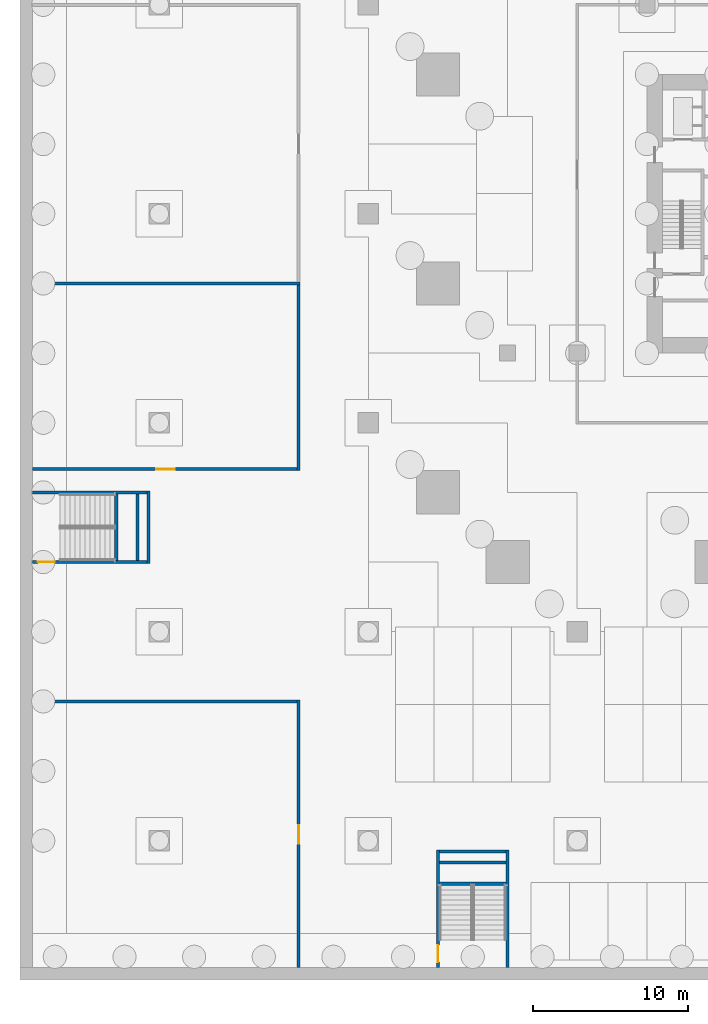
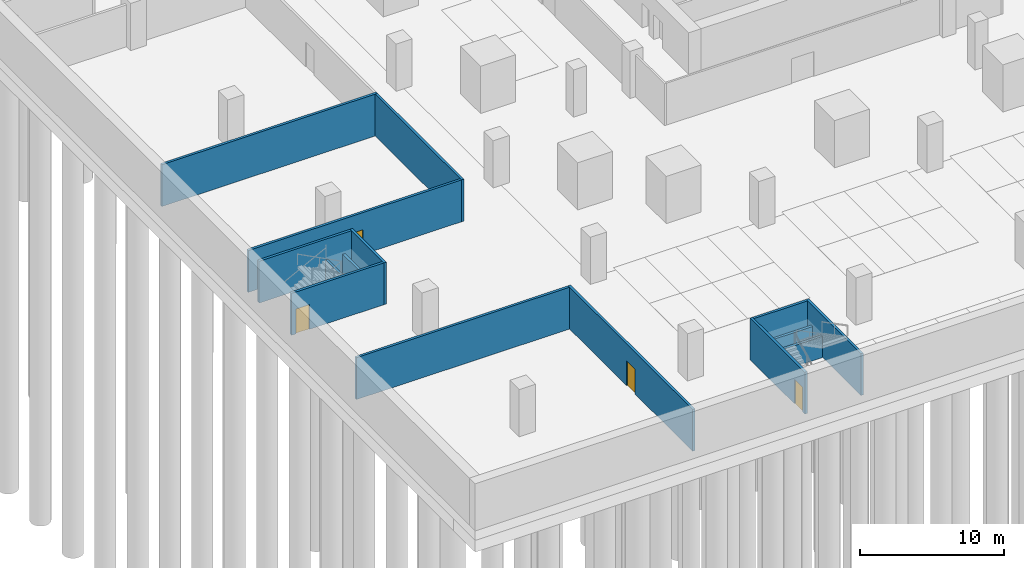
# One storey, part 4 of 40: 15 walls, 4 doors, 4 openings.
"""IFC4 building model written with IfcOpenShell, lengths in metres."""

from ifc_helpers import new_model, si_unit, direction, frame, frame_2d, origin, place, context, subcontext, project, spatial, rectangle, extrude, material, layer, layer_set, type_object, element, fill, save


model = new_model("IFC4")

# Units and contexts
model_context = context("Model", 3, precision=1e-05, world=origin(), true_north=direction((0.0, 1.0)))
body_context = subcontext(model_context, "Body", "Model", "MODEL_VIEW")
ifc_project = project(units=[si_unit("LENGTHUNIT", "METRE"), si_unit("AREAUNIT", "SQUARE_METRE"), si_unit("VOLUMEUNIT", "CUBIC_METRE"), si_unit("PLANEANGLEUNIT", "RADIAN"), si_unit("MASSUNIT", "GRAM", prefix="KILO")], contexts=[model_context])

# Site, building, storey
site_placement = place(None, origin())
site = spatial("IfcSite", under=ifc_project, at=site_placement, CompositionType="ELEMENT")
building_placement = place(site_placement, origin())
building = spatial("IfcBuilding", under=site, at=building_placement, Name="Altepetl Exchange Towers", CompositionType="ELEMENT")
storey_placement = place(building_placement, frame((0.0, 0.0, -8.0)))
storey = spatial("IfcBuildingStorey", under=building, at=storey_placement, Name="B2 Basement parking", CompositionType="ELEMENT", Elevation=-8.0)

# Walls
ifc_material_1 = material(Name="Reinforced concrete C35/45", Category="concrete")
ifc_layer_1 = layer(ifc_material_1, 0.199951171875)
ifc_layer_set_1 = layer_set([ifc_layer_1], Name="Reinforced concrete C35/45")
wall_type_1 = type_object("IfcWallType", Name="Landing support wall 200", PredefinedType="SOLIDWALL", material=ifc_layer_set_1)
for number, where, name in (
    (1, (27.10009765625, 6.219970703125, 0.0), "wall:P:B2:ES1sup0"),
    (2, (27.10009765625, 7.60009765625, 0.0), "wall:P:B2:ES1sup1"),
):
    element("IfcWall", number, at=place(storey_placement, frame(where)), inside=storey, type_object=wall_type_1, Name=name, PredefinedType="SOLIDWALL", context=body_context, shape_type="SweptSolid", body=[
        extrude(rectangle(XDim=4.2998046875, YDim=0.199951171875, at=frame_2d((2.14990234375, 0.0))), origin(), (0.0, 0.0, 1.0), 1.800048828125),
    ])
for number, where, z_axis, x_axis, name in (
    (3, (6.219970703125, 31.39990234375, 0.0), (0.0, 0.0, 1.0), (0.0, -1.0, 0.0), "wall:P:B2:ES3sup0"),
    (4, (7.60009765625, 31.39990234375, 0.0), (0.0, 0.0, 1.0), (0.0, -1.0, 0.0), "wall:P:B2:ES3sup1"),
):
    element("IfcWall", number, at=place(storey_placement, frame(where, z_axis=z_axis, x_axis=x_axis)), inside=storey, type_object=wall_type_1, Name=name, PredefinedType="SOLIDWALL", context=body_context, shape_type="SweptSolid", body=[
        extrude(rectangle(XDim=4.2998046875, YDim=0.199951171875, at=frame_2d((2.14990234375, 0.0))), origin(), (0.0, 0.0, 1.0), 1.800048828125),
    ])

# Wall, opening, door
ifc_material_2 = material(Name="Concrete block masonry", Category="masonry")
ifc_layer_2 = layer(ifc_material_2, 0.199951171875)
ifc_layer_set_2 = layer_set([ifc_layer_2], Name="Concrete block masonry")
wall_type_2 = type_object("IfcWallType", Name="Podium fire wall 200", PredefinedType="SOLIDWALL", material=ifc_layer_set_2)
wall_1_placement = place(storey_placement, frame((18.0, 0.800048828125, 0.0), z_axis=(0.0, 0.0, 1.0), x_axis=(0.0, 1.0, 0.0)))
wall_1 = element("IfcWall", 5, at=wall_1_placement, inside=storey, type_object=wall_type_2, Name="wall:P:B2:P001", PredefinedType="SOLIDWALL", context=body_context, shape_type="SweptSolid", body=[
    extrude(rectangle(XDim=17.300048828125, YDim=0.199951171875, at=frame_2d((8.64990234375, 0.0))), origin(), (0.0, 0.0, 1.0), 3.550048828125),
])
opening_1_placement = place(wall_1_placement, frame((8.0, 0.0, 0.0)))
opening_1 = element("IfcOpeningElement", 6, at=opening_1_placement, cuts=wall_1, Name="Opening B2.P001", PredefinedType="OPENING", context=body_context, shape_type="SweptSolid", body=[
    extrude(rectangle(XDim=1.199951171875, YDim=2.10009765625, at=frame_2d((0.60009765625, 1.050048828125))), frame((0.0, 0.10986328125, 0.0), z_axis=(0.0, -1.0, 0.0), x_axis=(1.0, 0.0, 0.0)), (0.0, 0.0, 1.0), 0.219970703125),
])
ifc_material_3 = material(Name="Steel fire door", Category="steel")
door_type_1 = type_object("IfcDoorType", Name="Podium fire door 1200 x 2100 double leaf", OperationType="DOUBLE_DOOR_SINGLE_SWING", PredefinedType="DOOR", material=ifc_material_3)
door_1_placement = place(opening_1_placement, origin())
door_1 = element("IfcDoor", 7, at=door_1_placement, inside=storey, type_object=door_type_1, Name="door:P:B2:001", OperationType="DOUBLE_DOOR_SINGLE_SWING", OverallHeight=2.10009765625, OverallWidth=1.199951171875, PredefinedType="DOOR", context=body_context, shape_type="SweptSolid", body=[
    extrude(rectangle(XDim=1.199951171875, YDim=2.10009765625, at=frame_2d((0.60009765625, 1.050048828125))), frame((0.0, 0.02490234375, 0.0), z_axis=(0.0, -1.0, 0.0), x_axis=(1.0, 0.0, 0.0)), (0.0, 0.0, 1.0), 0.050048828125),
])
fill(opening_1, door_1)

# Walls
wall_2_placement = place(storey_placement, frame((0.800048828125, 18.0, 0.0)))
element("IfcWall", 8, at=wall_2_placement, inside=storey, type_object=wall_type_2, Name="wall:P:B2:P002", PredefinedType="SOLIDWALL", context=body_context, shape_type="SweptSolid", body=[
    extrude(rectangle(XDim=17.099853515625, YDim=0.199951171875, at=frame_2d((8.5498046875, 0.0))), origin(), (0.0, 0.0, 1.0), 3.550048828125),
])
wall_3_placement = place(storey_placement, frame((0.800048828125, 45.0, 0.0)))
element("IfcWall", 9, at=wall_3_placement, inside=storey, type_object=wall_type_2, Name="wall:P:B2:P003", PredefinedType="SOLIDWALL", context=body_context, shape_type="SweptSolid", body=[
    extrude(rectangle(XDim=17.300048828125, YDim=0.199951171875, at=frame_2d((8.64990234375, 0.0))), origin(), (0.0, 0.0, 1.0), 3.550048828125),
])
wall_4_placement = place(storey_placement, frame((18.0, 32.89990234375, 0.0), z_axis=(0.0, 0.0, 1.0), x_axis=(0.0, 1.0, 0.0)))
element("IfcWall", 10, at=wall_4_placement, inside=storey, type_object=wall_type_2, Name="wall:P:B2:P004", PredefinedType="SOLIDWALL", context=body_context, shape_type="SweptSolid", body=[
    extrude(rectangle(XDim=12.0, YDim=0.199951171875, at=frame_2d((6.0, 0.0))), origin(), (0.0, 0.0, 1.0), 3.550048828125),
])

# Wall, opening, door
wall_5_placement = place(storey_placement, frame((0.800048828125, 33.0, 0.0)))
wall_5 = element("IfcWall", 11, at=wall_5_placement, inside=storey, type_object=wall_type_2, Name="wall:P:B2:P005", PredefinedType="SOLIDWALL", context=body_context, shape_type="SweptSolid", body=[
    extrude(rectangle(XDim=17.099853515625, YDim=0.199951171875, at=frame_2d((8.5498046875, 0.0))), origin(), (0.0, 0.0, 1.0), 3.550048828125),
])
opening_2_placement = place(wall_5_placement, frame((8.0, 0.0, 0.0)))
opening_2 = element("IfcOpeningElement", 12, at=opening_2_placement, cuts=wall_5, Name="Opening B2.P002", PredefinedType="OPENING", context=body_context, shape_type="SweptSolid", body=[
    extrude(rectangle(XDim=1.199951171875, YDim=2.10009765625, at=frame_2d((0.60009765625, 1.050048828125))), frame((0.0, 0.10986328125, 0.0), z_axis=(0.0, -1.0, 0.0), x_axis=(1.0, 0.0, 0.0)), (0.0, 0.0, 1.0), 0.219970703125),
])
door_2_placement = place(opening_2_placement, origin())
door_2 = element("IfcDoor", 13, at=door_2_placement, inside=storey, type_object=door_type_1, Name="door:P:B2:002", OperationType="DOUBLE_DOOR_SINGLE_SWING", OverallHeight=2.10009765625, OverallWidth=1.199951171875, PredefinedType="DOOR", context=body_context, shape_type="SweptSolid", body=[
    extrude(rectangle(XDim=1.199951171875, YDim=2.10009765625, at=frame_2d((0.60009765625, 1.050048828125))), frame((0.0, 0.02490234375, 0.0), z_axis=(0.0, -1.0, 0.0), x_axis=(1.0, 0.0, 0.0)), (0.0, 0.0, 1.0), 0.050048828125),
])
fill(opening_2, door_2)

ifc_layer_3 = layer(ifc_material_1, 0.199951171875)
ifc_layer_set_3 = layer_set([ifc_layer_3], Name="Reinforced concrete C35/45")
wall_type_3 = type_object("IfcWallType", Name="Stair enclosure wall 200", PredefinedType="SOLIDWALL", material=ifc_layer_set_3)
wall_6_placement = place(storey_placement, frame((27.0, 0.800048828125, 0.0), z_axis=(0.0, 0.0, 1.0), x_axis=(0.0, 1.0, 0.0)))
wall_6 = element("IfcWall", 14, at=wall_6_placement, inside=storey, type_object=wall_type_3, Name="wall:P:B2:P056", PredefinedType="SOLIDWALL", context=body_context, shape_type="SweptSolid", body=[
    extrude(rectangle(XDim=7.599853515625, YDim=0.199951171875, at=frame_2d((3.7998046875, 0.0))), origin(), (0.0, 0.0, 1.0), 3.550048828125),
])
opening_3_placement = place(wall_6_placement, frame((0.35009765625, 0.0, 0.0)))
opening_3 = element("IfcOpeningElement", 15, at=opening_3_placement, cuts=wall_6, Name="Opening B2.P012", PredefinedType="OPENING", context=body_context, shape_type="SweptSolid", body=[
    extrude(rectangle(XDim=1.10009765625, YDim=2.10009765625, at=frame_2d((0.550048828125, 1.050048828125))), frame((0.0, 0.10986328125, 0.0), z_axis=(0.0, -1.0, 0.0), x_axis=(1.0, 0.0, 0.0)), (0.0, 0.0, 1.0), 0.219970703125),
])
door_type_2 = type_object("IfcDoorType", Name="Podium fire door 1100 x 2100 single leaf", OperationType="SINGLE_SWING_LEFT", PredefinedType="DOOR", material=ifc_material_3)
door_3_placement = place(opening_3_placement, frame((1.10009765625, 0.0, 0.0), x_axis=(-1.0, 0.0, 0.0)))
door_3 = element("IfcDoor", 16, at=door_3_placement, inside=storey, type_object=door_type_2, Name="door:P:B2:012", OperationType="SINGLE_SWING_LEFT", OverallHeight=2.10009765625, OverallWidth=1.10009765625, PredefinedType="DOOR", context=body_context, shape_type="SweptSolid", body=[
    extrude(rectangle(XDim=1.10009765625, YDim=2.10009765625, at=frame_2d((0.550048828125, 1.050048828125))), frame((0.0, 0.02490234375, 0.0), z_axis=(0.0, -1.0, 0.0), x_axis=(1.0, 0.0, 0.0)), (0.0, 0.0, 1.0), 0.050048828125),
])
fill(opening_3, door_3)

# Walls
wall_7_placement = place(storey_placement, frame((31.5, 0.800048828125, 0.0), z_axis=(0.0, 0.0, 1.0), x_axis=(0.0, 1.0, 0.0)))
element("IfcWall", 17, at=wall_7_placement, inside=storey, type_object=wall_type_3, Name="wall:P:B2:P057", PredefinedType="SOLIDWALL", context=body_context, shape_type="SweptSolid", body=[
    extrude(rectangle(XDim=7.599853515625, YDim=0.199951171875, at=frame_2d((3.7998046875, 0.0))), origin(), (0.0, 0.0, 1.0), 3.550048828125),
])
wall_8_placement = place(storey_placement, frame((27.10009765625, 8.300048828125, 0.0)))
element("IfcWall", 18, at=wall_8_placement, inside=storey, type_object=wall_type_3, Name="wall:P:B2:P058", PredefinedType="SOLIDWALL", context=body_context, shape_type="SweptSolid", body=[
    extrude(rectangle(XDim=4.2998046875, YDim=0.199951171875, at=frame_2d((2.14990234375, 0.0))), origin(), (0.0, 0.0, 1.0), 3.550048828125),
])
wall_9_placement = place(storey_placement, frame((8.300048828125, 26.89990234375, 0.0), z_axis=(0.0, 0.0, 1.0), x_axis=(0.0, 1.0, 0.0)))
element("IfcWall", 19, at=wall_9_placement, inside=storey, type_object=wall_type_3, Name="wall:P:B2:P062", PredefinedType="SOLIDWALL", context=body_context, shape_type="SweptSolid", body=[
    extrude(rectangle(XDim=4.7001953125, YDim=0.199951171875, at=frame_2d((2.35009765625, 0.0))), origin(), (0.0, 0.0, 1.0), 3.550048828125),
])

# Wall, opening, door
wall_10_placement = place(storey_placement, frame((0.800048828125, 27.0, 0.0)))
wall_10 = element("IfcWall", 20, at=wall_10_placement, inside=storey, type_object=wall_type_3, Name="wall:P:B2:P063", PredefinedType="SOLIDWALL", context=body_context, shape_type="SweptSolid", body=[
    extrude(rectangle(XDim=7.39990234375, YDim=0.199951171875, at=frame_2d((3.699951171875, 0.0))), origin(), (0.0, 0.0, 1.0), 3.550048828125),
])
opening_4_placement = place(wall_10_placement, frame((0.35009765625, 0.0, 0.0)))
opening_4 = element("IfcOpeningElement", 21, at=opening_4_placement, cuts=wall_10, Name="Opening B2.P014", PredefinedType="OPENING", context=body_context, shape_type="SweptSolid", body=[
    extrude(rectangle(XDim=1.10009765625, YDim=2.10009765625, at=frame_2d((0.550048828125, 1.050048828125))), frame((0.0, 0.10986328125, 0.0), z_axis=(0.0, -1.0, 0.0), x_axis=(1.0, 0.0, 0.0)), (0.0, 0.0, 1.0), 0.219970703125),
])
door_4_placement = place(opening_4_placement, origin())
door_4 = element("IfcDoor", 22, at=door_4_placement, inside=storey, type_object=door_type_2, Name="door:P:B2:014", OperationType="SINGLE_SWING_RIGHT", OverallHeight=2.10009765625, OverallWidth=1.10009765625, PredefinedType="DOOR", context=body_context, shape_type="SweptSolid", body=[
    extrude(rectangle(XDim=1.10009765625, YDim=2.10009765625, at=frame_2d((0.550048828125, 1.050048828125))), frame((0.0, 0.02490234375, 0.0), z_axis=(0.0, -1.0, 0.0), x_axis=(1.0, 0.0, 0.0)), (0.0, 0.0, 1.0), 0.050048828125),
])
fill(opening_4, door_4)

# Wall
wall_11_placement = place(storey_placement, frame((0.800048828125, 31.5, 0.0)))
element("IfcWall", 23, at=wall_11_placement, inside=storey, type_object=wall_type_3, Name="wall:P:B2:P064", PredefinedType="SOLIDWALL", context=body_context, shape_type="SweptSolid", body=[
    extrude(rectangle(XDim=7.39990234375, YDim=0.199951171875, at=frame_2d((3.699951171875, 0.0))), origin(), (0.0, 0.0, 1.0), 3.550048828125),
])

save(model, "model.ifc")
